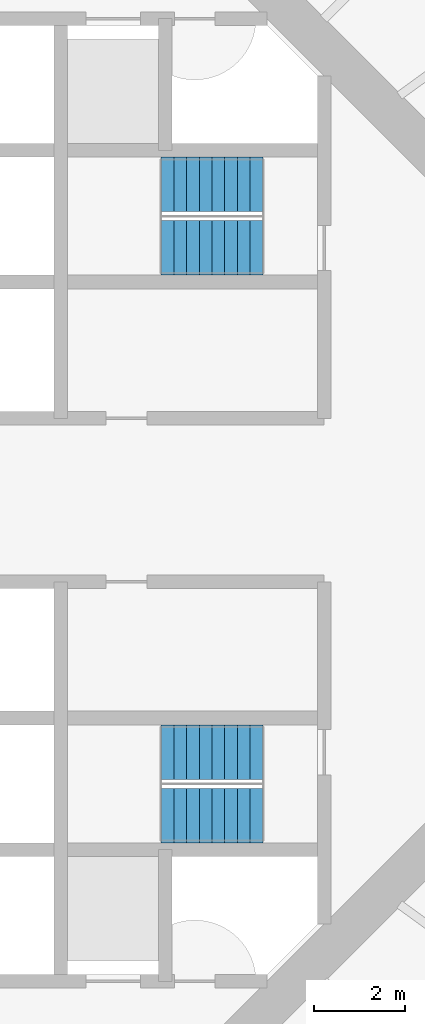
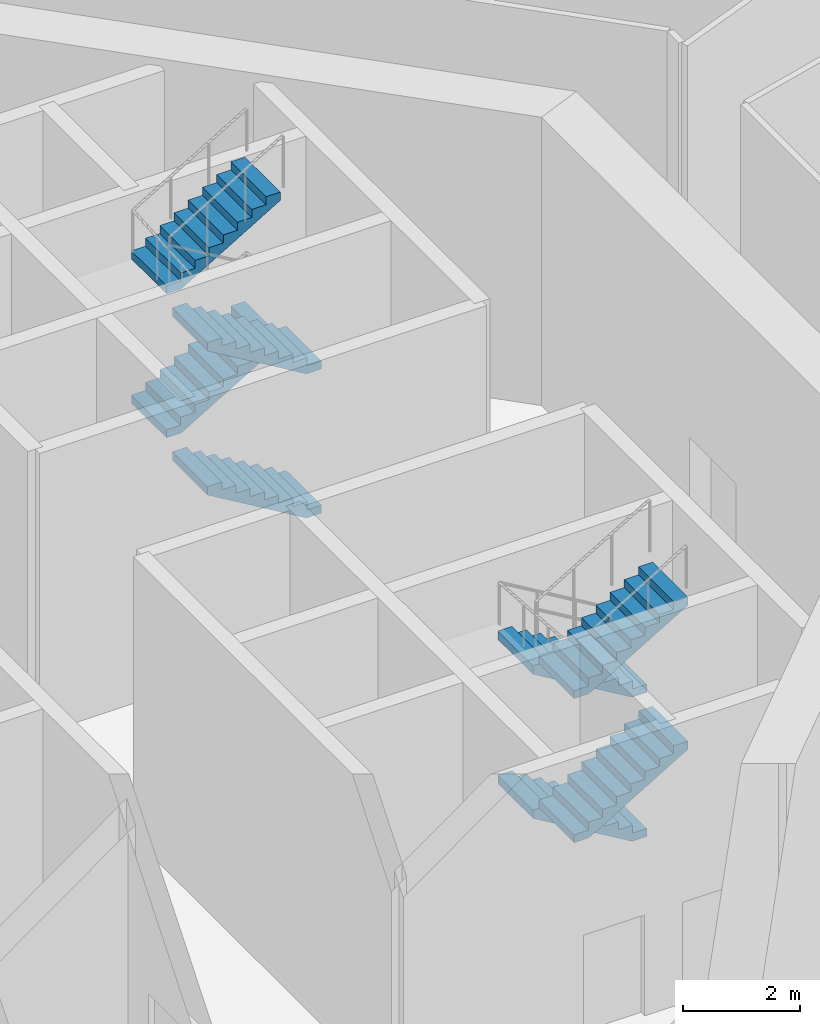
# One storey, part 6 of 14: 8 stair flights, 2 elements without a shape of their own.
"""IFC4 building model written with IfcOpenShell, lengths in metres."""

from ifc_helpers import new_model, si_unit, direction, frame, origin, place, context, subcontext, project, spatial, polyline, outline, extrude, material, type_object, element, aggregate, save


model = new_model("IFC4")

# Units and contexts
model_context = context("Model", 3, precision=1e-05, world=origin(), true_north=direction((0.0, 1.0)))
body_context = subcontext(model_context, "Body", "Model", "MODEL_VIEW")
ifc_project = project(units=[si_unit("LENGTHUNIT", "METRE"), si_unit("AREAUNIT", "SQUARE_METRE"), si_unit("VOLUMEUNIT", "CUBIC_METRE"), si_unit("PLANEANGLEUNIT", "RADIAN"), si_unit("MASSUNIT", "GRAM", prefix="KILO")], contexts=[model_context])

# Site, building, storey
site_placement = place(None, origin())
site = spatial("IfcSite", under=ifc_project, at=site_placement, CompositionType="ELEMENT")
building_placement = place(site_placement, origin())
building = spatial("IfcBuilding", under=site, at=building_placement, Name="Entoto Ring Tower", CompositionType="ELEMENT")
storey_placement = place(building_placement, frame((0.0, 0.0, 262.0)))
storey = spatial("IfcBuildingStorey", under=building, at=storey_placement, Name="L60", CompositionType="ELEMENT", Elevation=262.0)

# Stair, stair flights
ifc_material_1 = material(Name="Concrete C40/50", Category="concrete")
stair_type = type_object("IfcStairType", Name="Exit stair 1200 mm dog-leg reinforced concrete", PredefinedType="HALF_TURN_STAIR", material=ifc_material_1)
stair_1_placement = place(storey_placement, origin())
stair_1 = element("IfcStair", 1, at=stair_1_placement, inside=storey, type_object=stair_type, Name="Exit stair 1", PredefinedType="HALF_TURN_STAIR")
ifc_material_2 = material(Name="Concrete C40/50", Category="concrete")
stair_flight_type = type_object("IfcStairFlightType", Name="Stair flight 1200 mm reinforced concrete", PredefinedType="STRAIGHT", material=ifc_material_2)
stair_flight_1_placement = place(storey_placement, frame((99.25, 85.550048828125, 0.0), z_axis=(0.0, 0.0, 1.0), x_axis=(-1.0, 0.0, 0.0)))
stair_flight_1 = element("IfcStairFlight", 2, at=stair_flight_1_placement, type_object=stair_flight_type, Name="ST1 flight 1", NumberOfRisers=9, NumberOfTreads=8, PredefinedType="STRAIGHT", RiserHeight=0.166666667, TreadLength=0.28, context=body_context, shape_type="SweptSolid", body=[
    extrude(outline(polyline([(0.0, 0.0), (0.0, 0.166748046875), (0.280029296875, 0.166748046875), (0.280029296875, 0.333251953125), (0.56005859375, 0.333251953125), (0.56005859375, 0.5), (0.840087890625, 0.5), (0.840087890625, 0.666748046875), (1.1201171875, 0.666748046875), (1.1201171875, 0.833251953125), (1.39990234375, 0.833251953125), (1.39990234375, 1.0), (1.679931640625, 1.0), (1.679931640625, 1.166748046875), (1.9599609375, 1.166748046875), (1.9599609375, 1.333251953125), (2.239990234375, 1.333251953125), (2.239990234375, 1.5), (2.239990234375, 1.158935546875), (0.29296875, 0.0), (0.0, 0.0)])), frame((0.0, 0.60009765625, 0.0), z_axis=(0.0, -1.0, 0.0), x_axis=(1.0, 0.0, 0.0)), (0.0, 0.0, 1.0), 1.199951171875),
])
stair_flight_2_placement = place(storey_placement, frame((97.010009765625, 86.949951171875, 1.5), z_axis=(0.0, 0.0, 1.0), x_axis=(1.0, 0.0, 0.0)))
stair_flight_2 = element("IfcStairFlight", 3, at=stair_flight_2_placement, type_object=stair_flight_type, Name="ST1 flight 2", NumberOfRisers=9, NumberOfTreads=8, PredefinedType="STRAIGHT", RiserHeight=0.166666667, TreadLength=0.28, context=body_context, shape_type="SweptSolid", body=[
    extrude(outline(polyline([(0.0, 0.0), (0.0, 0.166748046875), (0.280029296875, 0.166748046875), (0.280029296875, 0.333251953125), (0.56005859375, 0.333251953125), (0.56005859375, 0.5), (0.840087890625, 0.5), (0.840087890625, 0.666748046875), (1.1201171875, 0.666748046875), (1.1201171875, 0.833251953125), (1.39990234375, 0.833251953125), (1.39990234375, 1.0), (1.679931640625, 1.0), (1.679931640625, 1.166748046875), (1.9599609375, 1.166748046875), (1.9599609375, 1.333251953125), (2.239990234375, 1.333251953125), (2.239990234375, 1.5), (2.239990234375, 1.158935546875), (0.29296875, 0.0), (0.0, 0.0)])), frame((0.0, 0.60009765625, 0.0), z_axis=(0.0, -1.0, 0.0), x_axis=(1.0, 0.0, 0.0)), (0.0, 0.0, 1.0), 1.199951171875),
])
stair_flight_3_placement = place(storey_placement, frame((99.25, 85.550048828125, 3.0), z_axis=(0.0, 0.0, 1.0), x_axis=(-1.0, 0.0, 0.0)))
stair_flight_3 = element("IfcStairFlight", 4, at=stair_flight_3_placement, type_object=stair_flight_type, Name="ST1 flight 3", NumberOfRisers=9, NumberOfTreads=8, PredefinedType="STRAIGHT", RiserHeight=0.166666667, TreadLength=0.28, context=body_context, shape_type="SweptSolid", body=[
    extrude(outline(polyline([(0.0, 0.0), (0.0, 0.166748046875), (0.280029296875, 0.166748046875), (0.280029296875, 0.333251953125), (0.56005859375, 0.333251953125), (0.56005859375, 0.5), (0.840087890625, 0.5), (0.840087890625, 0.666748046875), (1.1201171875, 0.666748046875), (1.1201171875, 0.833251953125), (1.39990234375, 0.833251953125), (1.39990234375, 1.0), (1.679931640625, 1.0), (1.679931640625, 1.166748046875), (1.9599609375, 1.166748046875), (1.9599609375, 1.333251953125), (2.239990234375, 1.333251953125), (2.239990234375, 1.5), (2.239990234375, 1.158935546875), (0.29296875, 0.0), (0.0, 0.0)])), frame((0.0, 0.60009765625, 0.0), z_axis=(0.0, -1.0, 0.0), x_axis=(1.0, 0.0, 0.0)), (0.0, 0.0, 1.0), 1.199951171875),
])
stair_flight_4_placement = place(storey_placement, frame((97.010009765625, 86.949951171875, 4.5), z_axis=(0.0, 0.0, 1.0), x_axis=(1.0, 0.0, 0.0)))
stair_flight_4 = element("IfcStairFlight", 5, at=stair_flight_4_placement, type_object=stair_flight_type, Name="ST1 flight 4", NumberOfRisers=9, NumberOfTreads=8, PredefinedType="STRAIGHT", RiserHeight=0.166666667, TreadLength=0.28, context=body_context, shape_type="SweptSolid", body=[
    extrude(outline(polyline([(0.0, 0.0), (0.0, 0.166748046875), (0.280029296875, 0.166748046875), (0.280029296875, 0.333251953125), (0.56005859375, 0.333251953125), (0.56005859375, 0.5), (0.840087890625, 0.5), (0.840087890625, 0.666748046875), (1.1201171875, 0.666748046875), (1.1201171875, 0.833251953125), (1.39990234375, 0.833251953125), (1.39990234375, 1.0), (1.679931640625, 1.0), (1.679931640625, 1.166748046875), (1.9599609375, 1.166748046875), (1.9599609375, 1.333251953125), (2.239990234375, 1.333251953125), (2.239990234375, 1.5), (2.239990234375, 1.158935546875), (0.29296875, 0.0), (0.0, 0.0)])), frame((0.0, 0.60009765625, 0.0), z_axis=(0.0, -1.0, 0.0), x_axis=(1.0, 0.0, 0.0)), (0.0, 0.0, 1.0), 1.199951171875),
])
aggregate(stair_1, [stair_flight_1, stair_flight_2, stair_flight_3, stair_flight_4])

stair_2_placement = place(storey_placement, origin())
stair_2 = element("IfcStair", 6, at=stair_2_placement, inside=storey, type_object=stair_type, Name="Exit stair 3", PredefinedType="HALF_TURN_STAIR")
stair_flight_5_placement = place(storey_placement, frame((99.25, 74.449951171875, 0.0), z_axis=(0.0, 0.0, 1.0), x_axis=(-1.0, 0.0, 0.0)))
stair_flight_5 = element("IfcStairFlight", 7, at=stair_flight_5_placement, type_object=stair_flight_type, Name="ST3 flight 1", NumberOfRisers=9, NumberOfTreads=8, PredefinedType="STRAIGHT", RiserHeight=0.166666667, TreadLength=0.28, context=body_context, shape_type="SweptSolid", body=[
    extrude(outline(polyline([(0.0, 0.0), (0.0, 0.166748046875), (0.280029296875, 0.166748046875), (0.280029296875, 0.333251953125), (0.56005859375, 0.333251953125), (0.56005859375, 0.5), (0.840087890625, 0.5), (0.840087890625, 0.666748046875), (1.1201171875, 0.666748046875), (1.1201171875, 0.833251953125), (1.39990234375, 0.833251953125), (1.39990234375, 1.0), (1.679931640625, 1.0), (1.679931640625, 1.166748046875), (1.9599609375, 1.166748046875), (1.9599609375, 1.333251953125), (2.239990234375, 1.333251953125), (2.239990234375, 1.5), (2.239990234375, 1.158935546875), (0.29296875, 0.0), (0.0, 0.0)])), frame((0.0, 0.60009765625, 0.0), z_axis=(0.0, -1.0, 0.0), x_axis=(1.0, 0.0, 0.0)), (0.0, 0.0, 1.0), 1.199951171875),
])
stair_flight_6_placement = place(storey_placement, frame((97.010009765625, 73.050048828125, 1.5), z_axis=(0.0, 0.0, 1.0), x_axis=(1.0, 0.0, 0.0)))
stair_flight_6 = element("IfcStairFlight", 8, at=stair_flight_6_placement, type_object=stair_flight_type, Name="ST3 flight 2", NumberOfRisers=9, NumberOfTreads=8, PredefinedType="STRAIGHT", RiserHeight=0.166666667, TreadLength=0.28, context=body_context, shape_type="SweptSolid", body=[
    extrude(outline(polyline([(0.0, 0.0), (0.0, 0.166748046875), (0.280029296875, 0.166748046875), (0.280029296875, 0.333251953125), (0.56005859375, 0.333251953125), (0.56005859375, 0.5), (0.840087890625, 0.5), (0.840087890625, 0.666748046875), (1.1201171875, 0.666748046875), (1.1201171875, 0.833251953125), (1.39990234375, 0.833251953125), (1.39990234375, 1.0), (1.679931640625, 1.0), (1.679931640625, 1.166748046875), (1.9599609375, 1.166748046875), (1.9599609375, 1.333251953125), (2.239990234375, 1.333251953125), (2.239990234375, 1.5), (2.239990234375, 1.158935546875), (0.29296875, 0.0), (0.0, 0.0)])), frame((0.0, 0.60009765625, 0.0), z_axis=(0.0, -1.0, 0.0), x_axis=(1.0, 0.0, 0.0)), (0.0, 0.0, 1.0), 1.199951171875),
])
stair_flight_7_placement = place(storey_placement, frame((99.25, 74.449951171875, 3.0), z_axis=(0.0, 0.0, 1.0), x_axis=(-1.0, 0.0, 0.0)))
stair_flight_7 = element("IfcStairFlight", 9, at=stair_flight_7_placement, type_object=stair_flight_type, Name="ST3 flight 3", NumberOfRisers=9, NumberOfTreads=8, PredefinedType="STRAIGHT", RiserHeight=0.166666667, TreadLength=0.28, context=body_context, shape_type="SweptSolid", body=[
    extrude(outline(polyline([(0.0, 0.0), (0.0, 0.166748046875), (0.280029296875, 0.166748046875), (0.280029296875, 0.333251953125), (0.56005859375, 0.333251953125), (0.56005859375, 0.5), (0.840087890625, 0.5), (0.840087890625, 0.666748046875), (1.1201171875, 0.666748046875), (1.1201171875, 0.833251953125), (1.39990234375, 0.833251953125), (1.39990234375, 1.0), (1.679931640625, 1.0), (1.679931640625, 1.166748046875), (1.9599609375, 1.166748046875), (1.9599609375, 1.333251953125), (2.239990234375, 1.333251953125), (2.239990234375, 1.5), (2.239990234375, 1.158935546875), (0.29296875, 0.0), (0.0, 0.0)])), frame((0.0, 0.60009765625, 0.0), z_axis=(0.0, -1.0, 0.0), x_axis=(1.0, 0.0, 0.0)), (0.0, 0.0, 1.0), 1.199951171875),
])
stair_flight_8_placement = place(storey_placement, frame((97.010009765625, 73.050048828125, 4.5), z_axis=(0.0, 0.0, 1.0), x_axis=(1.0, 0.0, 0.0)))
stair_flight_8 = element("IfcStairFlight", 10, at=stair_flight_8_placement, type_object=stair_flight_type, Name="ST3 flight 4", NumberOfRisers=9, NumberOfTreads=8, PredefinedType="STRAIGHT", RiserHeight=0.166666667, TreadLength=0.28, context=body_context, shape_type="SweptSolid", body=[
    extrude(outline(polyline([(0.0, 0.0), (0.0, 0.166748046875), (0.280029296875, 0.166748046875), (0.280029296875, 0.333251953125), (0.56005859375, 0.333251953125), (0.56005859375, 0.5), (0.840087890625, 0.5), (0.840087890625, 0.666748046875), (1.1201171875, 0.666748046875), (1.1201171875, 0.833251953125), (1.39990234375, 0.833251953125), (1.39990234375, 1.0), (1.679931640625, 1.0), (1.679931640625, 1.166748046875), (1.9599609375, 1.166748046875), (1.9599609375, 1.333251953125), (2.239990234375, 1.333251953125), (2.239990234375, 1.5), (2.239990234375, 1.158935546875), (0.29296875, 0.0), (0.0, 0.0)])), frame((0.0, 0.60009765625, 0.0), z_axis=(0.0, -1.0, 0.0), x_axis=(1.0, 0.0, 0.0)), (0.0, 0.0, 1.0), 1.199951171875),
])
aggregate(stair_2, [stair_flight_5, stair_flight_6, stair_flight_7, stair_flight_8])

save(model, "model.ifc")
